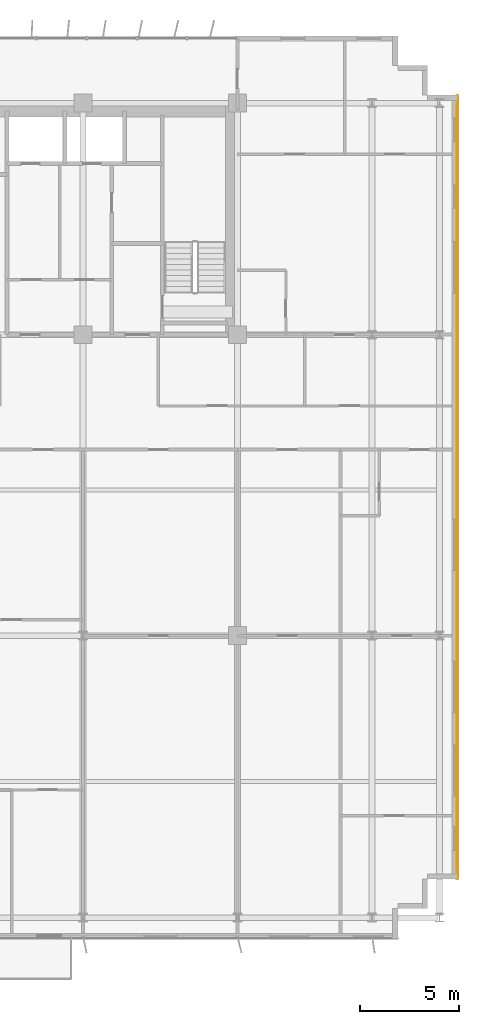
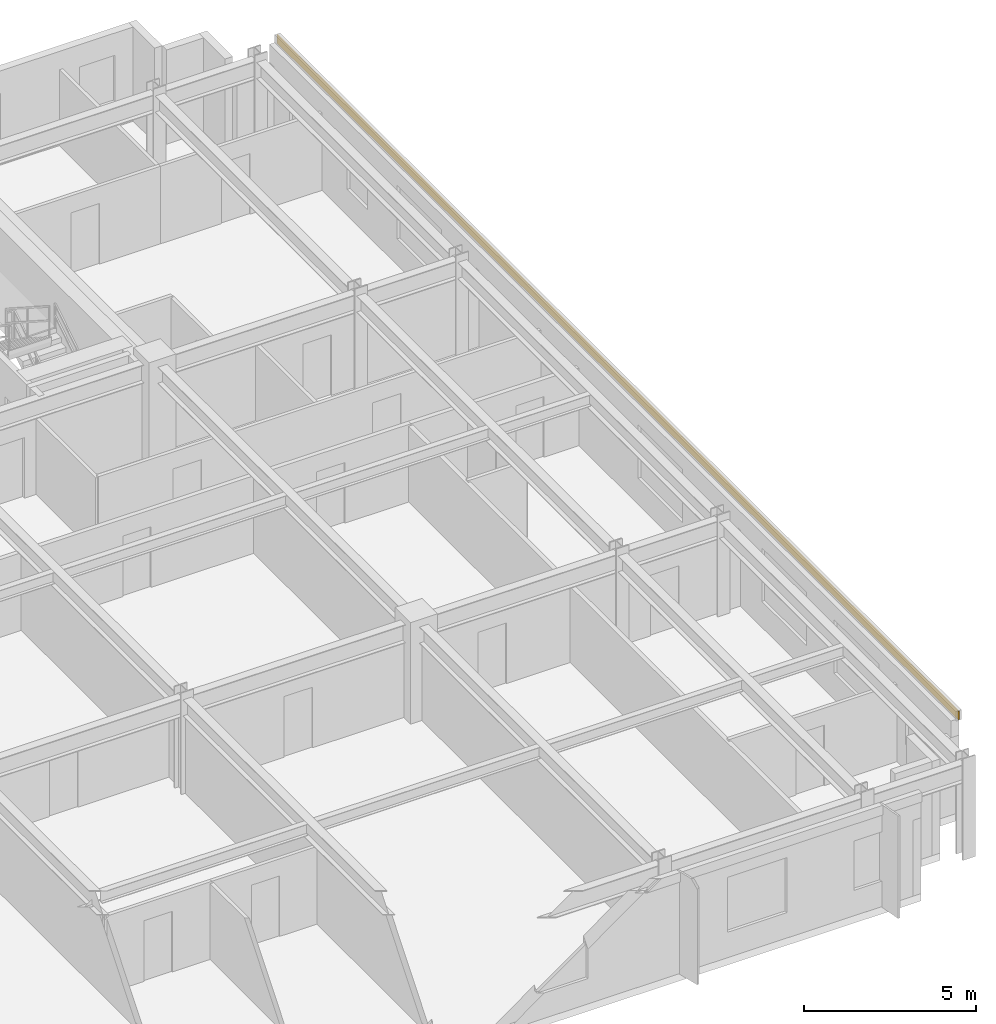
# One storey, part 22 of 22: 1 covering.
"""IFC4 building model written with IfcOpenShell, lengths in metres."""

from ifc_helpers import new_model, si_unit, direction, frame, origin, origin_2d, place, context, subcontext, project, spatial, rectangle, extrude, source, transform, mapped, material, layer, layer_set, type_object, element, save


model = new_model("IFC4")

# Units and contexts
model_context = context("Model", 3, precision=1e-05, world=origin(), true_north=direction((0.0, 1.0)))
body_context = subcontext(model_context, "Body", "Model", "MODEL_VIEW")
ifc_project = project(units=[si_unit("LENGTHUNIT", "METRE"), si_unit("AREAUNIT", "SQUARE_METRE"), si_unit("VOLUMEUNIT", "CUBIC_METRE"), si_unit("PLANEANGLEUNIT", "RADIAN"), si_unit("MASSUNIT", "GRAM", prefix="KILO")], contexts=[model_context])

# Site, building, storey
site_placement = place(None, origin())
site = spatial("IfcSite", under=ifc_project, at=site_placement, CompositionType="ELEMENT")
building_placement = place(site_placement, origin())
building = spatial("IfcBuilding", under=site, at=building_placement, Name="Trelvane Seafront Commons", CompositionType="ELEMENT")
storey_placement = place(building_placement, frame((0.0, 0.0, 48.699951171875)))
storey = spatial("IfcBuildingStorey", under=building, at=storey_placement, Name="L12", CompositionType="ELEMENT", Elevation=48.699951171875)

# Covering
ifc_material = material(Name="Anodised pale-silver aluminium", Category="aluminium")
ifc_layer = layer(ifc_material, 0.034912109375, Name="ARCH-COV-CLAD35")
ifc_layer_set = layer_set([ifc_layer], Name="Anodised pale-silver aluminium")
covering_type = type_object("IfcCoveringType", Name="ARCH-COV-CLAD35", PredefinedType="CLADDING", material=ifc_layer_set)
shared_shape = source(origin(), body_context, "Body", "SweptSolid", [
    extrude(rectangle(XDim=39.60009765625, YDim=0.034912109375, at=origin_2d()), origin(), (0.0, 0.0, 1.0), 0.300048828125),
])
covering_placement = place(storey_placement, frame((69.89990234375, 25.699951171875, 3.2998046875), z_axis=(0.0, 0.0, 1.0), x_axis=(0.0, -1.0, 0.0)))
element("IfcCovering", 1, at=covering_placement, inside=storey, type_object=covering_type, Name="CLD-L12-00061", PredefinedType="CLADDING", context=body_context, shape_type="MappedRepresentation", body=[
    mapped(shared_shape, transform((0.0, 0.0, 0.0), x_axis=(1.0, 0.0, 0.0), y_axis=(0.0, 1.0, 0.0), z_axis=(0.0, 0.0, 1.0), scale=1.0)),
])

save(model, "model.ifc")
